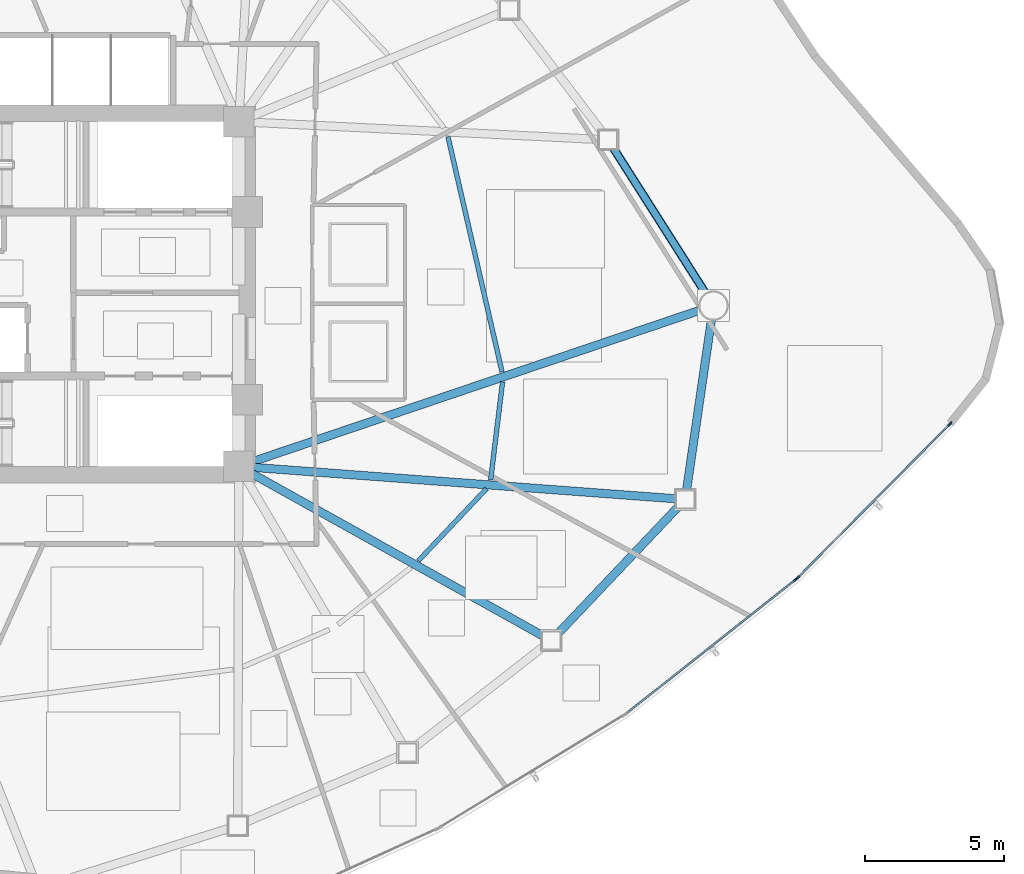
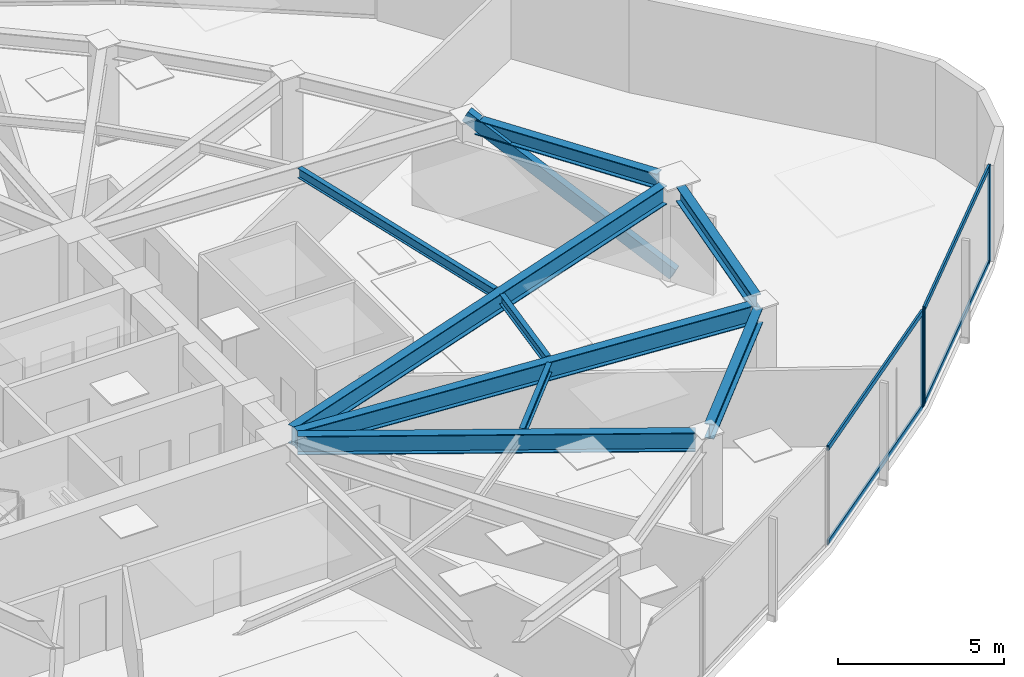
# One storey, part 6 of 17: 9 beams, 8 members, 2 elements without a shape of their own.
"""IFC4 building model written with IfcOpenShell, lengths in metres."""

from ifc_helpers import new_model, si_unit, direction, frame, origin, origin_2d, place, context, subcontext, project, spatial, hollow_rectangle, i_section, extrude, source, transform, mapped, material, layer, layer_set, material_profile, profile_set, type_object, type_shapes, element, aggregate, save


model = new_model("IFC4")

# Units and contexts
model_context = context("Model", 3, precision=1e-05, world=origin(), true_north=direction((0.0, 1.0)))
body_context = subcontext(model_context, "Body", "Model", "MODEL_VIEW")
ifc_project = project(units=[si_unit("LENGTHUNIT", "METRE"), si_unit("AREAUNIT", "SQUARE_METRE"), si_unit("VOLUMEUNIT", "CUBIC_METRE"), si_unit("PLANEANGLEUNIT", "RADIAN"), si_unit("MASSUNIT", "GRAM", prefix="KILO")], contexts=[model_context])

# Site, building, storey
site_placement = place(None, origin())
site = spatial("IfcSite", under=ifc_project, at=site_placement, CompositionType="ELEMENT")
building_placement = place(site_placement, origin())
building = spatial("IfcBuilding", under=site, at=building_placement, Name="Tavelor Broadcast Tower", CompositionType="ELEMENT")
storey_placement = place(building_placement, frame((0.0, 0.0, 150.25)))
storey = spatial("IfcBuildingStorey", under=building, at=storey_placement, Name="L35", CompositionType="ELEMENT", Elevation=150.25)

# Beams
ifc_material_1 = material(Name="Steel S355", Category="steel")
ifc_material_profile_1 = material_profile(ifc_material_1, i_section(OverallWidth=0.169921875, OverallDepth=0.360107421875, WebThickness=0.008056640625, FlangeThickness=0.0126953125, at=origin_2d()), Name="IPE 360")
ifc_profile_set_1 = profile_set([ifc_material_profile_1], Name="Steel S355")
beam_type_1 = type_object("IfcBeamType", Name="Composite Floor Joist T3 IPE 360", PredefinedType="JOIST", material=ifc_profile_set_1)
beam_1_placement = place(storey_placement, frame((63.05859375, 35.39990234375, 3.3701171875), z_axis=(0.686806065531, 0.726840717317, 0.0), x_axis=(-0.726840717317, 0.686806065531, 0.0)))
element("IfcBeam", 1, at=beam_1_placement, inside=storey, type_object=beam_type_1, Name="L35 Secondary Composite Floor Joist 11", PredefinedType="JOIST", context=body_context, shape_type="SweptSolid", body=[
    extrude(i_section(OverallWidth=0.169921875, OverallDepth=0.360107421875, WebThickness=0.008056640625, FlangeThickness=0.0126953125, at=origin_2d()), origin(), (0.0, 0.0, 1.0), 3.573486328125),
])
beam_2_placement = place(storey_placement, frame((65.6591796875, 38.30859375, 3.3701171875), z_axis=(0.120874566199, 0.992667788964, 0.0), x_axis=(-0.992667788964, 0.120874566199, 0.0)))
element("IfcBeam", 2, at=beam_2_placement, inside=storey, type_object=beam_type_1, Name="L35 Secondary Composite Floor Joist 12", PredefinedType="JOIST", context=body_context, shape_type="SweptSolid", body=[
    extrude(i_section(OverallWidth=0.169921875, OverallDepth=0.360107421875, WebThickness=0.008056640625, FlangeThickness=0.0126953125, at=origin_2d()), origin(), (0.0, 0.0, 1.0), 3.556884765625),
])
beam_3_placement = place(storey_placement, frame((66.0703125, 42.1953125, 3.3701171875), z_axis=(-0.224119909946, 0.974561576282, 0.0), x_axis=(-0.974561576282, -0.224119909946, 0.0)))
element("IfcBeam", 3, at=beam_3_placement, inside=storey, type_object=beam_type_1, Name="L35 Secondary Composite Floor Joist 13", PredefinedType="JOIST", context=body_context, shape_type="SweptSolid", body=[
    extrude(i_section(OverallWidth=0.169921875, OverallDepth=0.360107421875, WebThickness=0.008056640625, FlangeThickness=0.0126953125, at=origin_2d()), origin(), (0.0, 0.0, 1.0), 8.6796875),
])
ifc_material_profile_2 = material_profile(ifc_material_1, i_section(OverallWidth=0.300048828125, OverallDepth=0.550048828125, WebThickness=0.014892578125, FlangeThickness=0.029052734375, at=origin_2d()), Name="HEB 550")
ifc_profile_set_2 = profile_set([ifc_material_profile_2], Name="Steel S355")
beam_type_2 = type_object("IfcBeamType", Name="Perimeter Spandrel Beam T3 HEB 550", PredefinedType="SPANDREL", material=ifc_profile_set_2)
beam_4_placement = place(storey_placement, frame((68.073486328125, 32.775390625, 3.27490234375), z_axis=(0.688378130541, 0.72535201757, 0.0), x_axis=(-0.72535201757, 0.688378130541, 0.0)))
element("IfcBeam", 4, at=beam_4_placement, inside=storey, type_object=beam_type_2, Name="L35 Framed-Tube Ring Spandrel 11", PredefinedType="SPANDREL", context=body_context, shape_type="SweptSolid", body=[
    extrude(i_section(OverallWidth=0.300048828125, OverallDepth=0.550048828125, WebThickness=0.014892578125, FlangeThickness=0.029052734375, at=origin_2d()), origin(), (0.0, 0.0, 1.0), 6.32568359375),
])
beam_5_placement = place(storey_placement, frame((72.707763671875, 37.93994140625, 3.27490234375), z_axis=(0.144294035731, 0.989534856007, 0.0), x_axis=(-0.989534856007, 0.144294035731, 0.0)))
element("IfcBeam", 5, at=beam_5_placement, inside=storey, type_object=beam_type_2, Name="L35 Framed-Tube Ring Spandrel 12", PredefinedType="SPANDREL", context=body_context, shape_type="SweptSolid", body=[
    extrude(i_section(OverallWidth=0.300048828125, OverallDepth=0.550048828125, WebThickness=0.014892578125, FlangeThickness=0.029052734375, at=origin_2d()), origin(), (0.0, 0.0, 1.0), 6.19775390625),
])
beam_6_placement = place(storey_placement, frame((73.4013671875, 45.01171875, 3.27490234375), z_axis=(-0.536283466807, 0.844037939449, 0.0), x_axis=(-0.844037939449, -0.536283466807, 0.0)))
element("IfcBeam", 6, at=beam_6_placement, inside=storey, type_object=beam_type_2, Name="L35 Framed-Tube Ring Spandrel 13", PredefinedType="SPANDREL", context=body_context, shape_type="SweptSolid", body=[
    extrude(i_section(OverallWidth=0.300048828125, OverallDepth=0.550048828125, WebThickness=0.014892578125, FlangeThickness=0.029052734375, at=origin_2d()), origin(), (0.0, 0.0, 1.0), 6.21875),
])

# Member
ifc_material_profile_3 = material_profile(ifc_material_1, hollow_rectangle(XDim=0.25, YDim=0.449951171875, WallThickness=0.02001953125, at=origin_2d()), Name="RHS 450x250x20")
ifc_profile_set_3 = profile_set([ifc_material_profile_3], Name="Steel S355")
member_type_1 = type_object("IfcMemberType", Name="Perimeter Tube Brace T3 RHS 450x250x20", PredefinedType="BRACE", material=ifc_profile_set_3)
member_1_placement = place(storey_placement, frame((73.676025390625, 44.57958984375, 0.0), z_axis=(-0.479238755177, 0.754205232397, 0.448892729904), x_axis=(-0.844021198089, -0.536309814544, 0.0)))
element("IfcMember", 7, at=member_1_placement, inside=storey, type_object=member_type_1, Name="L35 Corner Tube Diagonal Brace 3", PredefinedType="BRACE", context=body_context, shape_type="SweptSolid", body=[
    extrude(hollow_rectangle(XDim=0.25, YDim=0.449951171875, WallThickness=0.02001953125, at=origin_2d()), origin(), (0.0, 0.0, 1.0), 7.908447265625),
])

# Beams
ifc_material_profile_4 = material_profile(ifc_material_1, i_section(OverallWidth=0.300048828125, OverallDepth=0.68994140625, WebThickness=0.014404296875, FlangeThickness=0.027099609375, at=origin_2d()), Name="HEA 700")
ifc_profile_set_4 = profile_set([ifc_material_profile_4], Name="Steel S355")
beam_type_3 = type_object("IfcBeamType", Name="Radial Floor Girder T3 HEA 700", PredefinedType="BEAM", material=ifc_profile_set_4)
beam_7_placement = place(storey_placement, frame((57.061279296875, 38.54296875, 3.205078125), z_axis=(0.873405286678, -0.486994050481, 0.0), x_axis=(0.486994050481, 0.873405286678, 0.0)))
element("IfcBeam", 8, at=beam_7_placement, inside=storey, type_object=beam_type_3, Name="L35 Radial Primary Floor Girder 11", PredefinedType="BEAM", context=body_context, shape_type="SweptSolid", body=[
    extrude(i_section(OverallWidth=0.300048828125, OverallDepth=0.68994140625, WebThickness=0.014404296875, FlangeThickness=0.027099609375, at=origin_2d()), origin(), (0.0, 0.0, 1.0), 12.007568359375),
])
beam_8_placement = place(storey_placement, frame((57.126708984375, 38.760986328125, 3.205078125), z_axis=(0.997253617312, -0.074062289721, 0.0), x_axis=(0.074062289721, 0.997253617312, 0.0)))
element("IfcBeam", 9, at=beam_8_placement, inside=storey, type_object=beam_type_3, Name="L35 Radial Primary Floor Girder 12", PredefinedType="BEAM", context=body_context, shape_type="SweptSolid", body=[
    extrude(i_section(OverallWidth=0.300048828125, OverallDepth=0.68994140625, WebThickness=0.014404296875, FlangeThickness=0.027099609375, at=origin_2d()), origin(), (0.0, 0.0, 1.0), 15.2392578125),
])
beam_9_placement = place(storey_placement, frame((57.10009765625, 38.96923828125, 3.205078125), z_axis=(0.947217379582, 0.32059200835, 0.0), x_axis=(-0.32059200835, 0.947217379582, 0.0)))
element("IfcBeam", 10, at=beam_9_placement, inside=storey, type_object=beam_type_3, Name="L35 Radial Primary Floor Girder 13", PredefinedType="BEAM", context=body_context, shape_type="SweptSolid", body=[
    extrude(i_section(OverallWidth=0.300048828125, OverallDepth=0.68994140625, WebThickness=0.014404296875, FlangeThickness=0.027099609375, at=origin_2d()), origin(), (0.0, 0.0, 1.0), 16.987548828125),
])

# Curtain wall, member
ifc_material_2 = material(Name="Architectural Anodized Aluminium", Category="aluminium")
ifc_layer = layer(ifc_material_2, 0.18994140625)
ifc_layer_set = layer_set([ifc_layer], Name="Architectural Anodized Aluminium")
curtain_wall_type = type_object("IfcCurtainWallType", Name="Tower Mid-Zone Acoustic Curtain Wall CW03", PredefinedType="NOTDEFINED", material=ifc_layer_set)
curtain_wall_1_placement = place(storey_placement, origin())
curtain_wall_1 = element("IfcCurtainWall", 11, at=curtain_wall_1_placement, inside=storey, type_object=curtain_wall_type, Name="L35 Curtain Wall CW03 Run 367", PredefinedType="NOTDEFINED")
ifc_material_profile_5 = material_profile(ifc_material_2, hollow_rectangle(XDim=0.068115234375, YDim=0.18994140625, WallThickness=0.02197265625, at=origin_2d()), Name="RHS 68x190x22")
ifc_profile_set_5 = profile_set([ifc_material_profile_5], Name="Architectural Anodized Aluminium")
member_type_2 = type_object("IfcMemberType", Name="CW03 Extruded Aluminium Mullion 68x190", PredefinedType="MULLION", material=ifc_profile_set_5)
shared_shape_1 = source(origin(), body_context, "Body", "SweptSolid", [
    extrude(hollow_rectangle(XDim=0.068115234375, YDim=0.18994140625, WallThickness=0.02197265625, at=origin_2d()), origin(), (0.0, 0.0, 1.0), 3.550048828125),
])
type_shapes(member_type_2, [shared_shape_1])
member_2_placement = place(storey_placement, frame((76.62890625, 34.724609375, 0.0), z_axis=(0.0, 0.0, 1.0), x_axis=(-0.620143023178, 0.784488770349, 0.0)))
member_2 = element("IfcMember", 12, at=member_2_placement, type_object=member_type_2, Name="CW03 mullion 2", PredefinedType="MULLION", context=body_context, shape_type="MappedRepresentation", body=[
    mapped(shared_shape_1, transform((0.0, 0.0, 0.0), scale=1.0)),
])

# Curtain wall, members
curtain_wall_2_placement = place(storey_placement, origin())
curtain_wall_2 = element("IfcCurtainWall", 13, at=curtain_wall_2_placement, inside=storey, type_object=curtain_wall_type, Name="L35 Curtain Wall CW03 Run 368", PredefinedType="NOTDEFINED")
member_3_placement = place(storey_placement, frame((76.701904296875, 34.789794921875, 0.0), z_axis=(0.0, 0.0, 1.0), x_axis=(-0.710510670227, 0.703686426964, 0.0)))
member_3 = element("IfcMember", 14, at=member_3_placement, type_object=member_type_2, Name="CW03 mullion 1", PredefinedType="MULLION", context=body_context, shape_type="MappedRepresentation", body=[
    mapped(shared_shape_1, transform((0.0, 0.0, 0.0), scale=1.0)),
])
member_4_placement = place(storey_placement, frame((82.18115234375, 40.322021484375, 0.0), z_axis=(0.0, 0.0, 1.0), x_axis=(-0.710510670227, 0.703686426964, 0.0)))
member_4 = element("IfcMember", 15, at=member_4_placement, type_object=member_type_2, Name="CW03 mullion 2", PredefinedType="MULLION", context=body_context, shape_type="MappedRepresentation", body=[
    mapped(shared_shape_1, transform((0.0, 0.0, 0.0), scale=1.0)),
])

# Member
ifc_material_profile_6 = material_profile(ifc_material_2, hollow_rectangle(XDim=0.068115234375, YDim=0.18994140625, WallThickness=0.02197265625, at=origin_2d()), Name="RHS 68x190x22")
ifc_profile_set_6 = profile_set([ifc_material_profile_6], Name="Architectural Anodized Aluminium")
member_type_3 = type_object("IfcMemberType", Name="CW03 Extruded Aluminium Transom 68x190", PredefinedType="USERDEFINED", material=ifc_profile_set_6)
shared_shape_2 = source(origin(), body_context, "Body", "SweptSolid", [
    extrude(hollow_rectangle(XDim=0.068115234375, YDim=0.18994140625, WallThickness=0.02197265625, at=origin_2d()), origin(), (0.0, 0.0, 1.0), 7.7021484375),
])
member_5_placement = place(storey_placement, frame((70.56005859375, 29.927001953125, 0.033935546875), z_axis=(0.784476914926, 0.620158020143, 0.0), x_axis=(-0.620158020143, 0.784476914926, 0.0)))
member_5 = element("IfcMember", 16, at=member_5_placement, type_object=member_type_3, Name="CW03 transom 1.1", ObjectType="TRANSOM", PredefinedType="USERDEFINED", context=body_context, shape_type="MappedRepresentation", body=[
    mapped(shared_shape_2, transform((0.0, 0.0, 0.0), scale=1.0)),
])

member_6_placement = place(storey_placement, frame((70.56005859375, 29.927001953125, 3.51611328125), z_axis=(0.784476914926, 0.620158020143, 0.0), x_axis=(-0.620158020143, 0.784476914926, 0.0)))
member_6 = element("IfcMember", 17, at=member_6_placement, type_object=member_type_3, Name="CW03 transom 1.2", ObjectType="TRANSOM", PredefinedType="USERDEFINED", context=body_context, shape_type="MappedRepresentation", body=[
    mapped(shared_shape_2, transform((0.0, 0.0, 0.0), scale=1.0)),
])

aggregate(curtain_wall_1, [member_2, member_5, member_6])

shared_shape_3 = source(origin(), body_context, "Body", "SweptSolid", [
    extrude(hollow_rectangle(XDim=0.068115234375, YDim=0.18994140625, WallThickness=0.02197265625, at=origin_2d()), origin(), (0.0, 0.0, 1.0), 7.718505859375),
])
type_shapes(member_type_3, [shared_shape_2, shared_shape_3])
member_7_placement = place(storey_placement, frame((76.725830078125, 34.81396484375, 0.033935546875), z_axis=(0.703682441717, 0.710514617175, 0.0), x_axis=(-0.710514617175, 0.703682441717, 0.0)))
member_7 = element("IfcMember", 18, at=member_7_placement, type_object=member_type_3, Name="CW03 transom 1.1", ObjectType="TRANSOM", PredefinedType="USERDEFINED", context=body_context, shape_type="MappedRepresentation", body=[
    mapped(shared_shape_3, transform((0.0, 0.0, 0.0), scale=1.0)),
])

member_8_placement = place(storey_placement, frame((76.725830078125, 34.81396484375, 3.51611328125), z_axis=(0.703682441717, 0.710514617175, 0.0), x_axis=(-0.710514617175, 0.703682441717, 0.0)))
member_8 = element("IfcMember", 19, at=member_8_placement, type_object=member_type_3, Name="CW03 transom 1.2", ObjectType="TRANSOM", PredefinedType="USERDEFINED", context=body_context, shape_type="MappedRepresentation", body=[
    mapped(shared_shape_3, transform((0.0, 0.0, 0.0), scale=1.0)),
])

aggregate(curtain_wall_2, [member_3, member_4, member_7, member_8])

save(model, "model.ifc")
